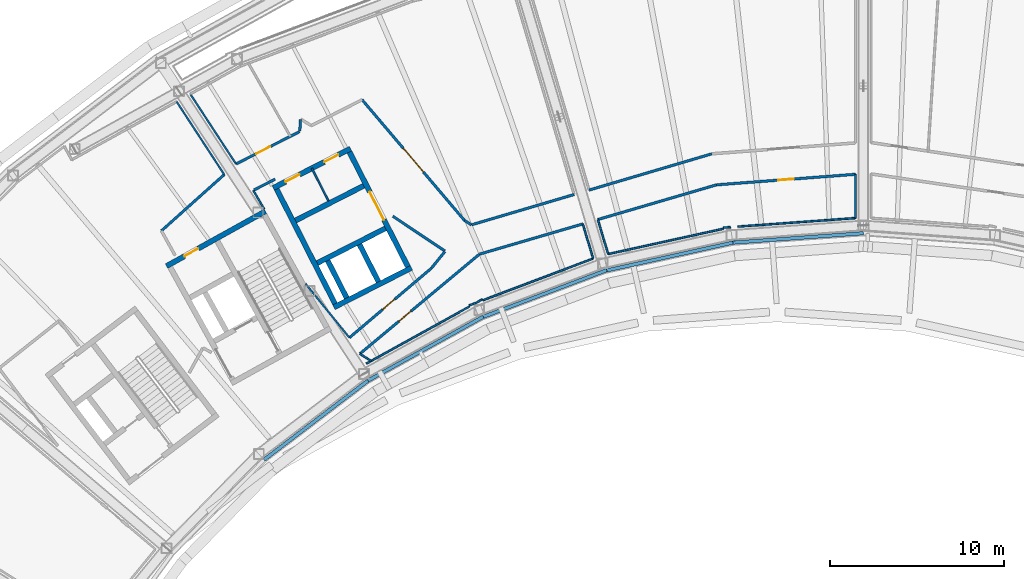
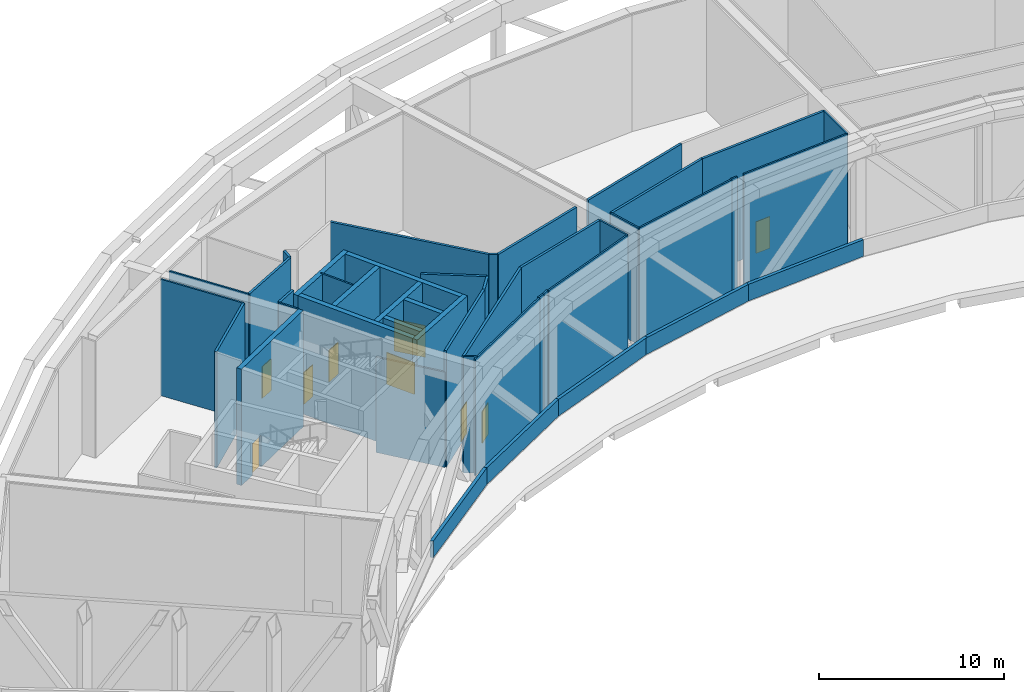
# One storey, part 8 of 27: 45 walls, 9 doors, 9 openings.
"""IFC4 building model written with IfcOpenShell, lengths in metres."""

from ifc_helpers import new_model, si_unit, direction, frame, frame_2d, origin, place, context, subcontext, project, spatial, rectangle, extrude, material, layer, layer_set, type_object, element, fill, save


model = new_model("IFC4")

# Units and contexts
model_context = context("Model", 3, precision=1e-05, world=origin(), true_north=direction((0.0, 1.0)))
body_context = subcontext(model_context, "Body", "Model", "MODEL_VIEW")
ifc_project = project(units=[si_unit("LENGTHUNIT", "METRE"), si_unit("AREAUNIT", "SQUARE_METRE"), si_unit("VOLUMEUNIT", "CUBIC_METRE"), si_unit("PLANEANGLEUNIT", "RADIAN"), si_unit("MASSUNIT", "GRAM", prefix="KILO")], contexts=[model_context])

# Site, building, storey
site_placement = place(None, origin())
site = spatial("IfcSite", under=ifc_project, at=site_placement, CompositionType="ELEMENT")
building_placement = place(site_placement, origin())
building = spatial("IfcBuilding", under=site, at=building_placement, Name="Tuul Gate Civic Tower", CompositionType="ELEMENT")
storey_placement = place(building_placement, frame((0.0, 0.0, 201.5)))
storey = spatial("IfcBuildingStorey", under=building, at=storey_placement, Name="Wind floor 1", CompositionType="ELEMENT", Elevation=201.5)

# Wall, opening, door
ifc_material_1 = material(Name="Concrete C50/60", Category="concrete")
ifc_layer_1 = layer(ifc_material_1, 0.300048828125)
ifc_layer_set_1 = layer_set([ifc_layer_1], Name="Concrete C50/60")
wall_type_1 = type_object("IfcWallType", Name="Core wall C50/60", PredefinedType="SHEAR", material=ifc_layer_set_1)
wall_1_placement = place(storey_placement, frame((-28.4443359375, -1.98095703125, 0.0), z_axis=(0.0, 0.0, 1.0), x_axis=(-0.874629909008, -0.484791215132, 0.0)))
wall_1 = element("IfcWall", 1, at=wall_1_placement, inside=storey, type_object=wall_type_1, Name="Core wall", PredefinedType="SHEAR", context=body_context, shape_type="SweptSolid", body=[
    extrude(rectangle(XDim=6.5, YDim=0.300048828125, at=frame_2d((3.25, 0.0))), origin(), (0.0, 0.0, 1.0), 7.699951171875),
])
opening_1_placement = place(wall_1_placement, frame((4.425048828125, 0.0, 0.0)))
opening_1 = element("IfcOpeningElement", 2, at=opening_1_placement, cuts=wall_1, Name="Opening AF-D19", PredefinedType="OPENING", context=body_context, shape_type="SweptSolid", body=[
    extrude(rectangle(XDim=0.89990234375, YDim=2.10009765625, at=frame_2d((0.449951171875, 1.050048828125))), frame((0.0, 0.16015625, 0.0), z_axis=(0.0, -1.0, 0.0), x_axis=(1.0, 0.0, 0.0)), (0.0, 0.0, 1.0), 0.320068359375),
])
ifc_material_2 = material(Name="Timber door leaf", Category="wood")
door_type_1 = type_object("IfcDoorType", Name="Door D09", OperationType="NOTDEFINED", PredefinedType="DOOR", material=ifc_material_2)
door_1_placement = place(opening_1_placement, origin())
door_1 = element("IfcDoor", 3, at=door_1_placement, inside=storey, type_object=door_type_1, Name="Door AF-D19", OperationType="SINGLE_SWING_LEFT", OverallHeight=2.10009765625, OverallWidth=0.89990234375, PredefinedType="DOOR", context=body_context, shape_type="SweptSolid", body=[
    extrude(rectangle(XDim=0.89990234375, YDim=2.10009765625, at=frame_2d((0.449951171875, 1.050048828125))), frame((0.0, 0.02490234375, 0.0), z_axis=(0.0, -1.0, 0.0), x_axis=(1.0, 0.0, 0.0)), (0.0, 0.0, 1.0), 0.050048828125),
])
fill(opening_1, door_1)

# Walls
ifc_material_3 = material(Name="Gypsum board partition")
ifc_layer_2 = layer(ifc_material_3, 0.14990234375)
ifc_layer_set_2 = layer_set([ifc_layer_2], Name="Gypsum board partition")
wall_type_2 = type_object("IfcWallType", Name="Corridor wall P150", PredefinedType="PARTITIONING", material=ifc_layer_set_2)
wall_2_placement = place(storey_placement, frame((-29.099609375, -0.7529296875, 0.0), z_axis=(0.0, 0.0, 1.0), x_axis=(0.891064148453, 0.453877388004, 0.0)))
element("IfcWall", 4, at=wall_2_placement, inside=storey, type_object=wall_type_2, Name="p008", PredefinedType="PARTITIONING", context=body_context, shape_type="SweptSolid", body=[
    extrude(rectangle(XDim=1.3603515625, YDim=0.14990234375, at=frame_2d((0.68017578125, 0.0))), origin(), (0.0, 0.0, 1.0), 7.699951171875),
])
wall_3_placement = place(storey_placement, frame((-21.11474609375, -2.264404296875, 0.0), z_axis=(0.0, 0.0, 1.0), x_axis=(0.830784728149, -0.556593869418, 0.0)))
element("IfcWall", 5, at=wall_3_placement, inside=storey, type_object=wall_type_2, Name="p009", PredefinedType="PARTITIONING", context=body_context, shape_type="SweptSolid", body=[
    extrude(rectangle(XDim=3.59716796875, YDim=0.14990234375, at=frame_2d((1.798583984375, 0.0))), origin(), (0.0, 0.0, 1.0), 7.699951171875),
])
wall_4_placement = place(storey_placement, frame((-18.8994140625, -5.253662109375, 0.0), z_axis=(0.0, 0.0, 1.0), x_axis=(0.630072299927, 0.77653647491, 0.0)))
element("IfcWall", 6, at=wall_4_placement, inside=storey, type_object=wall_type_2, Name="p010", PredefinedType="PARTITIONING", context=body_context, shape_type="SweptSolid", body=[
    extrude(rectangle(XDim=1.23681640625, YDim=0.14990234375, at=frame_2d((0.618408203125, 0.0))), origin(), (0.0, 0.0, 1.0), 7.699951171875),
])

# Wall, opening, door
wall_5_placement = place(storey_placement, frame((-23.614013671875, -9.24951171875, 0.0), z_axis=(0.0, 0.0, 1.0), x_axis=(0.762966028253, 0.646438581562, 0.0)))
wall_5 = element("IfcWall", 7, at=wall_5_placement, inside=storey, type_object=wall_type_2, Name="p011", PredefinedType="PARTITIONING", context=body_context, shape_type="SweptSolid", body=[
    extrude(rectangle(XDim=6.17236328125, YDim=0.14990234375, at=frame_2d((3.086181640625, 0.0))), origin(), (0.0, 0.0, 1.0), 7.699951171875),
])
opening_2_placement = place(wall_5_placement, frame((2.5107421875, 0.0, 0.0)))
opening_2 = element("IfcOpeningElement", 8, at=opening_2_placement, cuts=wall_5, Name="Opening AF-D03", PredefinedType="OPENING", context=body_context, shape_type="SweptSolid", body=[
    extrude(rectangle(XDim=0.89990234375, YDim=2.10009765625, at=frame_2d((0.449951171875, 1.050048828125))), frame((0.0, 0.0849609375, 0.0), z_axis=(0.0, -1.0, 0.0), x_axis=(1.0, 0.0, 0.0)), (0.0, 0.0, 1.0), 0.169921875),
])
door_2_placement = place(opening_2_placement, origin())
door_2 = element("IfcDoor", 9, at=door_2_placement, inside=storey, type_object=door_type_1, Name="Door AF-D03", OperationType="SINGLE_SWING_RIGHT", OverallHeight=2.10009765625, OverallWidth=0.89990234375, PredefinedType="DOOR", context=body_context, shape_type="SweptSolid", body=[
    extrude(rectangle(XDim=0.89990234375, YDim=2.10009765625, at=frame_2d((0.449951171875, 1.050048828125))), frame((0.0, 0.02490234375, 0.0), z_axis=(0.0, -1.0, 0.0), x_axis=(1.0, 0.0, 0.0)), (0.0, 0.0, 1.0), 0.050048828125),
])
fill(opening_2, door_2)

wall_6_placement = place(storey_placement, frame((-2.502197265625, -0.459228515625, 0.0), z_axis=(0.0, 0.0, 1.0), x_axis=(0.997140393156, 0.075571398931, 0.0)))
wall_6 = element("IfcWall", 10, at=wall_6_placement, inside=storey, type_object=wall_type_2, Name="p029", PredefinedType="PARTITIONING", context=body_context, shape_type="SweptSolid", body=[
    extrude(rectangle(XDim=8.01513671875, YDim=0.14990234375, at=frame_2d((4.007568359375, 0.0))), origin(), (0.0, 0.0, 1.0), 7.699951171875),
])
opening_3_placement = place(wall_6_placement, frame((3.5576171875, 0.0, 0.0)))
opening_3 = element("IfcOpeningElement", 11, at=opening_3_placement, cuts=wall_6, Name="Opening AF-D10", PredefinedType="OPENING", context=body_context, shape_type="SweptSolid", body=[
    extrude(rectangle(XDim=0.89990234375, YDim=2.10009765625, at=frame_2d((0.449951171875, 1.050048828125))), frame((0.0, 0.0849609375, 0.0), z_axis=(0.0, -1.0, 0.0), x_axis=(1.0, 0.0, 0.0)), (0.0, 0.0, 1.0), 0.169921875),
])
door_3_placement = place(opening_3_placement, frame((0.89990234375, 0.0, 0.0), z_axis=(0.0, 0.0, 1.0), x_axis=(-1.0, 0.0, 0.0)))
door_3 = element("IfcDoor", 12, at=door_3_placement, inside=storey, type_object=door_type_1, Name="Door AF-D10", OperationType="SINGLE_SWING_LEFT", OverallHeight=2.10009765625, OverallWidth=0.89990234375, PredefinedType="DOOR", context=body_context, shape_type="SweptSolid", body=[
    extrude(rectangle(XDim=0.89990234375, YDim=2.10009765625, at=frame_2d((0.449951171875, 1.050048828125))), frame((0.0, 0.02490234375, 0.0), z_axis=(0.0, -1.0, 0.0), x_axis=(1.0, 0.0, 0.0)), (0.0, 0.0, 1.0), 0.050048828125),
])
fill(opening_3, door_3)

# Walls
wall_7_placement = place(storey_placement, frame((-16.12890625, -4.444091796875, 0.0), z_axis=(0.0, 0.0, 1.0), x_axis=(0.95980223764, 0.280677153721, 0.0)))
element("IfcWall", 13, at=wall_7_placement, inside=storey, type_object=wall_type_2, Name="p030", PredefinedType="PARTITIONING", context=body_context, shape_type="SweptSolid", body=[
    extrude(rectangle(XDim=6.18798828125, YDim=0.14990234375, at=frame_2d((3.093994140625, 0.0))), origin(), (0.0, 0.0, 1.0), 7.699951171875),
])
wall_8_placement = place(storey_placement, frame((-9.325927734375, -2.45458984375, 0.0), z_axis=(0.0, 0.0, 1.0), x_axis=(0.959788451616, 0.280724292045, 0.0)))
element("IfcWall", 14, at=wall_8_placement, inside=storey, type_object=wall_type_2, Name="p031", PredefinedType="PARTITIONING", context=body_context, shape_type="SweptSolid", body=[
    extrude(rectangle(XDim=7.105224609375, YDim=0.14990234375, at=frame_2d((3.552734375, 0.0))), origin(), (0.0, 0.0, 1.0), 7.699951171875),
])
wall_9_placement = place(storey_placement, frame((-16.586181640625, -2.757568359375, 0.0), z_axis=(0.0, 0.0, 1.0), x_axis=(0.958992677512, 0.283430846026, 0.0)))
element("IfcWall", 15, at=wall_9_placement, inside=storey, type_object=wall_type_2, Name="p033", PredefinedType="PARTITIONING", context=body_context, shape_type="SweptSolid", body=[
    extrude(rectangle(XDim=6.14501953125, YDim=0.14990234375, at=frame_2d((3.072509765625, 0.0))), origin(), (0.0, 0.0, 1.0), 7.699951171875),
])
wall_10_placement = place(storey_placement, frame((-9.829833984375, -0.7607421875, 0.0), z_axis=(0.0, 0.0, 1.0), x_axis=(0.958993945757, 0.283426554864, 0.0)))
element("IfcWall", 16, at=wall_10_placement, inside=storey, type_object=wall_type_2, Name="p034", PredefinedType="PARTITIONING", context=body_context, shape_type="SweptSolid", body=[
    extrude(rectangle(XDim=7.361328125, YDim=0.14990234375, at=frame_2d((3.6806640625, 0.0))), origin(), (0.0, 0.0, 1.0), 7.699951171875),
])

# Wall, opening, door
wall_11_placement = place(storey_placement, frame((-30.127197265625, 0.743408203125, 0.0), z_axis=(0.0, 0.0, 1.0), x_axis=(0.890968081177, 0.454065940501, 0.0)))
wall_11 = element("IfcWall", 17, at=wall_11_placement, inside=storey, type_object=wall_type_2, Name="p037", PredefinedType="PARTITIONING", context=body_context, shape_type="SweptSolid", body=[
    extrude(rectangle(XDim=4.0966796875, YDim=0.14990234375, at=frame_2d((2.04833984375, 0.0))), origin(), (0.0, 0.0, 1.0), 7.699951171875),
])
opening_4_placement = place(wall_11_placement, frame((1.295654296875, 0.0, 0.0)))
opening_4 = element("IfcOpeningElement", 18, at=opening_4_placement, cuts=wall_11, Name="Opening AF-D13", PredefinedType="OPENING", context=body_context, shape_type="SweptSolid", body=[
    extrude(rectangle(XDim=0.89990234375, YDim=2.10009765625, at=frame_2d((0.449951171875, 1.050048828125))), frame((0.0, 0.0849609375, 0.0), z_axis=(0.0, -1.0, 0.0), x_axis=(1.0, 0.0, 0.0)), (0.0, 0.0, 1.0), 0.169921875),
])
door_4_placement = place(opening_4_placement, origin())
door_4 = element("IfcDoor", 19, at=door_4_placement, inside=storey, type_object=door_type_1, Name="Door AF-D13", OperationType="SINGLE_SWING_RIGHT", OverallHeight=2.10009765625, OverallWidth=0.89990234375, PredefinedType="DOOR", context=body_context, shape_type="SweptSolid", body=[
    extrude(rectangle(XDim=0.89990234375, YDim=2.10009765625, at=frame_2d((0.449951171875, 1.050048828125))), frame((0.0, 0.02490234375, 0.0), z_axis=(0.0, -1.0, 0.0), x_axis=(1.0, 0.0, 0.0)), (0.0, 0.0, 1.0), 0.050048828125),
])
fill(opening_4, door_4)

# Wall
wall_12_placement = place(storey_placement, frame((-16.99072265625, -2.51318359375, 0.0), z_axis=(0.0, 0.0, 1.0), x_axis=(0.850083704078, -0.5266476014, 0.0)))
element("IfcWall", 20, at=wall_12_placement, inside=storey, type_object=wall_type_2, Name="p040", PredefinedType="PARTITIONING", context=body_context, shape_type="SweptSolid", body=[
    extrude(rectangle(XDim=0.458984375, YDim=0.14990234375, at=frame_2d((0.2294921875, 0.0))), origin(), (0.0, 0.0, 1.0), 7.699951171875),
])

# Wall, opening, door
wall_13_placement = place(storey_placement, frame((-22.884765625, 4.433837890625, 0.0), z_axis=(0.0, 0.0, 1.0), x_axis=(0.64695195203, -0.76253076775, 0.0)))
wall_13 = element("IfcWall", 21, at=wall_13_placement, inside=storey, type_object=wall_type_2, Name="p041", PredefinedType="PARTITIONING", context=body_context, shape_type="SweptSolid", body=[
    extrude(rectangle(XDim=9.110595703125, YDim=0.14990234375, at=frame_2d((4.55517578125, 0.0))), origin(), (0.0, 0.0, 1.0), 7.699951171875),
])
opening_5_placement = place(wall_13_placement, frame((3.6552734375, 0.0, 0.0)))
opening_5 = element("IfcOpeningElement", 22, at=opening_5_placement, cuts=wall_13, Name="Opening AF-D12", PredefinedType="OPENING", context=body_context, shape_type="SweptSolid", body=[
    extrude(rectangle(XDim=1.800048828125, YDim=2.10009765625, at=frame_2d((0.89990234375, 1.050048828125))), frame((0.0, 0.0849609375, 0.0), z_axis=(0.0, -1.0, 0.0), x_axis=(1.0, 0.0, 0.0)), (0.0, 0.0, 1.0), 0.169921875),
])
ifc_material_4 = material(Name="Timber door leaf, double", Category="wood")
door_type_2 = type_object("IfcDoorType", Name="Door D18", OperationType="DOUBLE_DOOR_SINGLE_SWING", PredefinedType="DOOR", material=ifc_material_4)
door_5_placement = place(opening_5_placement, origin())
door_5 = element("IfcDoor", 23, at=door_5_placement, inside=storey, type_object=door_type_2, Name="Door AF-D12", OperationType="DOUBLE_DOOR_SINGLE_SWING", OverallHeight=2.10009765625, OverallWidth=1.800048828125, PredefinedType="DOOR", context=body_context, shape_type="SweptSolid", body=[
    extrude(rectangle(XDim=1.800048828125, YDim=2.10009765625, at=frame_2d((0.89990234375, 1.050048828125))), frame((0.0, 0.02490234375, 0.0), z_axis=(0.0, -1.0, 0.0), x_axis=(1.0, 0.0, 0.0)), (0.0, 0.0, 1.0), 0.050048828125),
])
fill(opening_5, door_5)

# Walls
wall_14_placement = place(storey_placement, frame((-26.468505859375, 2.63037109375, 0.0), z_axis=(0.0, 0.0, 1.0), x_axis=(0.06156184408, 0.998103270886, 0.0)))
element("IfcWall", 24, at=wall_14_placement, inside=storey, type_object=wall_type_2, Name="p042", PredefinedType="PARTITIONING", context=body_context, shape_type="SweptSolid", body=[
    extrude(rectangle(XDim=0.670166015625, YDim=0.14990234375, at=frame_2d((0.3349609375, 0.0))), origin(), (0.0, 0.0, 1.0), 7.699951171875),
])
wall_15_placement = place(storey_placement, frame((-34.425048828125, -3.102783203125, 0.0), z_axis=(0.0, 0.0, 1.0), x_axis=(0.745157003535, 0.666889076296, 0.0)))
element("IfcWall", 25, at=wall_15_placement, inside=storey, type_object=wall_type_2, Name="p043", PredefinedType="PARTITIONING", context=body_context, shape_type="SweptSolid", body=[
    extrude(rectangle(XDim=4.847412109375, YDim=0.14990234375, at=frame_2d((2.423828125, 0.0))), origin(), (0.0, 0.0, 1.0), 7.699951171875),
])

# Wall, opening, door
wall_16_placement = place(storey_placement, frame((-23.010498046875, -10.173828125, 0.0), z_axis=(0.0, 0.0, 1.0), x_axis=(0.768382300649, 0.639991124977, 0.0)))
wall_16 = element("IfcWall", 26, at=wall_16_placement, inside=storey, type_object=wall_type_2, Name="p044", PredefinedType="PARTITIONING", context=body_context, shape_type="SweptSolid", body=[
    extrude(rectangle(XDim=8.94677734375, YDim=0.14990234375, at=frame_2d((4.473388671875, 0.0))), origin(), (0.0, 0.0, 1.0), 7.699951171875),
])
opening_6_placement = place(wall_16_placement, frame((2.923095703125, 0.0, 0.0)))
opening_6 = element("IfcOpeningElement", 27, at=opening_6_placement, cuts=wall_16, Name="Opening AF-D14", PredefinedType="OPENING", context=body_context, shape_type="SweptSolid", body=[
    extrude(rectangle(XDim=0.89990234375, YDim=2.10009765625, at=frame_2d((0.449951171875, 1.050048828125))), frame((0.0, 0.0849609375, 0.0), z_axis=(0.0, -1.0, 0.0), x_axis=(1.0, 0.0, 0.0)), (0.0, 0.0, 1.0), 0.169921875),
])
door_6_placement = place(opening_6_placement, frame((0.89990234375, 0.0, 0.0), z_axis=(0.0, 0.0, 1.0), x_axis=(-1.0, 0.0, 0.0)))
door_6 = element("IfcDoor", 28, at=door_6_placement, inside=storey, type_object=door_type_1, Name="Door AF-D14", OperationType="SINGLE_SWING_LEFT", OverallHeight=2.10009765625, OverallWidth=0.89990234375, PredefinedType="DOOR", context=body_context, shape_type="SweptSolid", body=[
    extrude(rectangle(XDim=0.89990234375, YDim=2.10009765625, at=frame_2d((0.449951171875, 1.050048828125))), frame((0.0, 0.02490234375, 0.0), z_axis=(0.0, -1.0, 0.0), x_axis=(1.0, 0.0, 0.0)), (0.0, 0.0, 1.0), 0.050048828125),
])
fill(opening_6, door_6)

# Walls
ifc_material_5 = material(Name="Concrete C40/50", Category="concrete")
ifc_layer_3 = layer(ifc_material_5, 0.199951171875)
ifc_layer_set_3 = layer_set([ifc_layer_3], Name="Concrete C40/50")
wall_type_3 = type_object("IfcWallType", Name="Crown parapet", PredefinedType="PARAPET", material=ifc_layer_set_3)
wall_17_placement = place(storey_placement, frame((-28.528564453125, -16.276123046875, 0.0), z_axis=(0.0, 0.0, 1.0), x_axis=(0.795588056062, 0.605837969305, 0.0)))
element("IfcWall", 29, at=wall_17_placement, inside=storey, type_object=wall_type_3, Name="Parapet", PredefinedType="PARAPET", context=body_context, shape_type="SweptSolid", body=[
    extrude(rectangle(XDim=7.52685546875, YDim=0.199951171875, at=frame_2d((3.763427734375, 0.0))), origin(), (0.0, 0.0, 1.0), 1.10009765625),
])
wall_18_placement = place(storey_placement, frame((-22.540283203125, -11.716064453125, 0.0), z_axis=(0.0, 0.0, 1.0), x_axis=(0.874643517098, 0.484766663456, 0.0)))
element("IfcWall", 30, at=wall_18_placement, inside=storey, type_object=wall_type_3, Name="Parapet", PredefinedType="PARAPET", context=body_context, shape_type="SweptSolid", body=[
    extrude(rectangle(XDim=7.572021484375, YDim=0.199951171875, at=frame_2d((3.7861328125, 0.0))), origin(), (0.0, 0.0, 1.0), 1.10009765625),
])
wall_19_placement = place(storey_placement, frame((-15.957275390625, -8.067626953125, 0.0), z_axis=(0.0, 0.0, 1.0), x_axis=(0.935332015736, 0.35377114119, 0.0)))
element("IfcWall", 31, at=wall_19_placement, inside=storey, type_object=wall_type_3, Name="Parapet", PredefinedType="PARAPET", context=body_context, shape_type="SweptSolid", body=[
    extrude(rectangle(XDim=7.63525390625, YDim=0.199951171875, at=frame_2d((3.817626953125, 0.0))), origin(), (0.0, 0.0, 1.0), 1.10009765625),
])
wall_20_placement = place(storey_placement, frame((-8.9169921875, -5.40478515625, 0.0), z_axis=(0.0, 0.0, 1.0), x_axis=(0.976571109947, 0.215194951652, 0.0)))
element("IfcWall", 32, at=wall_20_placement, inside=storey, type_object=wall_type_3, Name="Parapet", PredefinedType="PARAPET", context=body_context, shape_type="SweptSolid", body=[
    extrude(rectangle(XDim=7.7021484375, YDim=0.199951171875, at=frame_2d((3.85107421875, 0.0))), origin(), (0.0, 0.0, 1.0), 1.10009765625),
])
wall_21_placement = place(storey_placement, frame((-1.566650390625, -3.78515625, 0.0), z_axis=(0.0, 0.0, 1.0), x_axis=(0.997389572159, 0.072208319108, 0.0)))
element("IfcWall", 33, at=wall_21_placement, inside=storey, type_object=wall_type_3, Name="Parapet", PredefinedType="PARAPET", context=body_context, shape_type="SweptSolid", body=[
    extrude(rectangle(XDim=7.526123046875, YDim=0.199951171875, at=frame_2d((3.76318359375, 0.0))), origin(), (0.0, 0.0, 1.0), 1.10009765625),
])
ifc_material_6 = material(Name="Concrete C40/50", Category="concrete")
ifc_layer_4 = layer(ifc_material_6, 0.300048828125)
ifc_layer_set_4 = layer_set([ifc_layer_4], Name="Concrete C40/50")
wall_type_4 = type_object("IfcWallType", Name="Lift shaft wall C40/50", PredefinedType="STANDARD", material=ifc_layer_set_4)
wall_22_placement = place(storey_placement, frame((-20.049072265625, -5.232421875, 0.0), z_axis=(0.0, 0.0, 1.0), x_axis=(-0.891002976909, -0.453997461601, 0.0)))
element("IfcWall", 34, at=wall_22_placement, inside=storey, type_object=wall_type_4, Name="Shaft wall", PredefinedType="STANDARD", context=body_context, shape_type="SweptSolid", body=[
    extrude(rectangle(XDim=5.0, YDim=0.300048828125, at=frame_2d((2.5, 0.0))), origin(), (0.0, 0.0, 1.0), 7.699951171875),
])
for number, where, z_axis, x_axis, name in (
    (35, (-21.542236328125, -2.962890625, 0.0), (0.0, 0.0, 1.0), (-0.891005618941, -0.453992276384, 0.0), "Shaft wall"),
    (36, (-22.790771484375, -0.5126953125, 0.0), (0.0, 0.0, 1.0), (-0.891005618941, -0.453992276384, 0.0), "Shaft wall"),
):
    element("IfcWall", number, at=place(storey_placement, frame(where, z_axis=z_axis, x_axis=x_axis)), inside=storey, type_object=wall_type_4, Name=name, PredefinedType="STANDARD", context=body_context, shape_type="SweptSolid", body=[
        extrude(rectangle(XDim=4.39990234375, YDim=0.300048828125, at=frame_2d((2.199951171875, 0.0))), origin(), (0.0, 0.0, 1.0), 7.699951171875),
    ])

# Wall, openings, doors
wall_23_placement = place(storey_placement, frame((-23.544921875, 1.62841796875, 0.0), z_axis=(0.0, 0.0, 1.0), x_axis=(-0.891002976909, -0.453997461601, 0.0)))
wall_23 = element("IfcWall", 37, at=wall_23_placement, inside=storey, type_object=wall_type_4, Name="Shaft wall", PredefinedType="STANDARD", context=body_context, shape_type="SweptSolid", body=[
    extrude(rectangle(XDim=5.0, YDim=0.300048828125, at=frame_2d((2.5, 0.0))), origin(), (0.0, 0.0, 1.0), 7.699951171875),
])
opening_7_placement = place(wall_23_placement, frame((0.800048828125, 0.0, 0.0)))
opening_7 = element("IfcOpeningElement", 38, at=opening_7_placement, cuts=wall_23, Name="Opening AF-D23", PredefinedType="OPENING", context=body_context, shape_type="SweptSolid", body=[
    extrude(rectangle(XDim=0.89990234375, YDim=2.10009765625, at=frame_2d((0.449951171875, 1.050048828125))), frame((0.0, 0.16015625, 0.0), z_axis=(0.0, -1.0, 0.0), x_axis=(1.0, 0.0, 0.0)), (0.0, 0.0, 1.0), 0.320068359375),
])
opening_8_placement = place(wall_23_placement, frame((3.300048828125, 0.0, 0.0)))
opening_8 = element("IfcOpeningElement", 39, at=opening_8_placement, cuts=wall_23, Name="Opening AF-D24", PredefinedType="OPENING", context=body_context, shape_type="SweptSolid", body=[
    extrude(rectangle(XDim=0.89990234375, YDim=2.10009765625, at=frame_2d((0.449951171875, 1.050048828125))), frame((0.0, 0.16015625, 0.0), z_axis=(0.0, -1.0, 0.0), x_axis=(1.0, 0.0, 0.0)), (0.0, 0.0, 1.0), 0.320068359375),
])
door_7_placement = place(opening_7_placement, origin())
door_7 = element("IfcDoor", 40, at=door_7_placement, inside=storey, type_object=door_type_1, Name="Door AF-D23", OperationType="SINGLE_SWING_RIGHT", OverallHeight=2.10009765625, OverallWidth=0.89990234375, PredefinedType="DOOR", context=body_context, shape_type="SweptSolid", body=[
    extrude(rectangle(XDim=0.89990234375, YDim=2.10009765625, at=frame_2d((0.449951171875, 1.050048828125))), frame((0.0, 0.02490234375, 0.0), z_axis=(0.0, -1.0, 0.0), x_axis=(1.0, 0.0, 0.0)), (0.0, 0.0, 1.0), 0.050048828125),
])
fill(opening_7, door_7)
door_8_placement = place(opening_8_placement, origin())
door_8 = element("IfcDoor", 41, at=door_8_placement, inside=storey, type_object=door_type_1, Name="Door AF-D24", OperationType="SINGLE_SWING_LEFT", OverallHeight=2.10009765625, OverallWidth=0.89990234375, PredefinedType="DOOR", context=body_context, shape_type="SweptSolid", body=[
    extrude(rectangle(XDim=0.89990234375, YDim=2.10009765625, at=frame_2d((0.449951171875, 1.050048828125))), frame((0.0, 0.02490234375, 0.0), z_axis=(0.0, -1.0, 0.0), x_axis=(1.0, 0.0, 0.0)), (0.0, 0.0, 1.0), 0.050048828125),
])
fill(opening_8, door_8)

# Wall, opening, door
wall_24_placement = place(storey_placement, frame((-20.2509765625, -5.166748046875, 0.0), z_axis=(0.0, 0.0, 1.0), x_axis=(-0.45401029361, 0.89099643843, 0.0)))
wall_24 = element("IfcWall", 42, at=wall_24_placement, inside=storey, type_object=wall_type_4, Name="Shaft wall", PredefinedType="STANDARD", context=body_context, shape_type="SweptSolid", body=[
    extrude(rectangle(XDim=7.39990234375, YDim=0.300048828125, at=frame_2d((3.699951171875, 0.0))), origin(), (0.0, 0.0, 1.0), 7.699951171875),
])
opening_9_placement = place(wall_24_placement, frame((3.02490234375, 0.0, 0.0)))
opening_9 = element("IfcOpeningElement", 43, at=opening_9_placement, cuts=wall_24, Name="Opening LB-W3-LOBBY-1", PredefinedType="OPENING", context=body_context, shape_type="SweptSolid", body=[
    extrude(rectangle(XDim=1.800048828125, YDim=2.10009765625, at=frame_2d((0.89990234375, 1.050048828125))), frame((0.0, 0.16015625, 0.0), z_axis=(0.0, -1.0, 0.0), x_axis=(1.0, 0.0, 0.0)), (0.0, 0.0, 1.0), 0.320068359375),
])
ifc_material_7 = material(Name="Steel", Category="steel")
door_type_3 = type_object("IfcDoorType", Name="Lobby door", OperationType="DOUBLE_DOOR_SINGLE_SWING", PredefinedType="DOOR", material=ifc_material_7)
door_9_placement = place(opening_9_placement, origin())
door_9 = element("IfcDoor", 44, at=door_9_placement, inside=storey, type_object=door_type_3, Name="Lobby door W3-LOBBY", OperationType="DOUBLE_DOOR_SINGLE_SWING", OverallHeight=2.10009765625, OverallWidth=1.800048828125, PredefinedType="DOOR", context=body_context, shape_type="SweptSolid", body=[
    extrude(rectangle(XDim=1.800048828125, YDim=2.10009765625, at=frame_2d((0.89990234375, 1.050048828125))), frame((0.0, 0.02490234375, 0.0), z_axis=(0.0, -1.0, 0.0), x_axis=(1.0, 0.0, 0.0)), (0.0, 0.0, 1.0), 0.050048828125),
])
fill(opening_9, door_9)

# Walls
for number, where, z_axis, x_axis, name in (
    (45, (-21.94384765625, -6.029296875, 0.0), (0.0, 0.0, 1.0), (-0.45403702923, 0.890982814698, 0.0), "Shaft wall"),
    (46, (-23.770263671875, -6.960205078125, 0.0), (0.0, 0.0, 1.0), (-0.45399587725, 0.891003784189, 0.0), "Shaft wall"),
):
    element("IfcWall", number, at=place(storey_placement, frame(where, z_axis=z_axis, x_axis=x_axis)), inside=storey, type_object=wall_type_4, Name=name, PredefinedType="STANDARD", context=body_context, shape_type="SweptSolid", body=[
        extrude(rectangle(XDim=2.39990234375, YDim=0.300048828125, at=frame_2d((1.199951171875, 0.0))), origin(), (0.0, 0.0, 1.0), 7.699951171875),
    ])
wall_25_placement = place(storey_placement, frame((-24.438720703125, -7.300537109375, 0.0), z_axis=(0.0, 0.0, 1.0), x_axis=(-0.453984101083, 0.891009784438, 0.0)))
element("IfcWall", 47, at=wall_25_placement, inside=storey, type_object=wall_type_4, Name="Shaft wall", PredefinedType="STANDARD", context=body_context, shape_type="SweptSolid", body=[
    extrude(rectangle(XDim=7.399658203125, YDim=0.300048828125, at=frame_2d((3.69970703125, 0.0))), origin(), (0.0, 0.0, 1.0), 7.699951171875),
])
ifc_material_8 = material(Name="Gypsum board partition")
ifc_layer_5 = layer(ifc_material_8, 0.10009765625)
ifc_layer_set_5 = layer_set([ifc_layer_5], Name="Gypsum board partition")
wall_type_5 = type_object("IfcWallType", Name="Partition P100", PredefinedType="PARTITIONING", material=ifc_layer_set_5)
wall_26_placement = place(storey_placement, frame((-28.51708984375, -1.849853515625, 0.0), z_axis=(0.0, 0.0, 1.0), x_axis=(-0.505337714214, 0.86292166191, 0.0)))
element("IfcWall", 48, at=wall_26_placement, inside=storey, type_object=wall_type_5, Name="p053", PredefinedType="PARTITIONING", context=body_context, shape_type="SweptSolid", body=[
    extrude(rectangle(XDim=1.23095703125, YDim=0.10009765625, at=frame_2d((0.615478515625, 0.0))), origin(), (0.0, 0.0, 1.0), 7.699951171875),
])
wall_27_placement = place(storey_placement, frame((5.489990234375, 0.146484375, 0.0), z_axis=(0.0, 0.0, 1.0), x_axis=(0.0, -1.0, 0.0)))
element("IfcWall", 49, at=wall_27_placement, inside=storey, type_object=wall_type_5, Name="p075", PredefinedType="PARTITIONING", context=body_context, shape_type="SweptSolid", body=[
    extrude(rectangle(XDim=2.517822265625, YDim=0.10009765625, at=frame_2d((1.2587890625, 0.0))), origin(), (0.0, 0.0, 1.0), 7.699951171875),
])
wall_28_placement = place(storey_placement, frame((5.489990234375, -2.371337890625, 0.0), z_axis=(0.0, 0.0, 1.0), x_axis=(-0.997380470642, -0.072333925527, 0.0)))
element("IfcWall", 50, at=wall_28_placement, inside=storey, type_object=wall_type_5, Name="p076", PredefinedType="PARTITIONING", context=body_context, shape_type="SweptSolid", body=[
    extrude(rectangle(XDim=6.7841796875, YDim=0.10009765625, at=frame_2d((3.39208984375, 0.0))), origin(), (0.0, 0.0, 1.0), 7.699951171875),
])
wall_29_placement = place(storey_placement, frame((-1.697021484375, -2.892578125, 0.0), z_axis=(0.0, 0.0, 1.0), x_axis=(-0.997407968083, -0.071953771305, 0.0)))
element("IfcWall", 51, at=wall_29_placement, inside=storey, type_object=wall_type_5, Name="p077", PredefinedType="PARTITIONING", context=body_context, shape_type="SweptSolid", body=[
    extrude(rectangle(XDim=0.417236328125, YDim=0.10009765625, at=frame_2d((0.20849609375, 0.0))), origin(), (0.0, 0.0, 1.0), 7.699951171875),
])
wall_30_placement = place(storey_placement, frame((-2.10888671875, -2.9833984375, 0.0), z_axis=(0.0, 0.0, 1.0), x_axis=(-0.976562386162, -0.215234537039, 0.0)))
element("IfcWall", 52, at=wall_30_placement, inside=storey, type_object=wall_type_5, Name="p078", PredefinedType="PARTITIONING", context=body_context, shape_type="SweptSolid", body=[
    extrude(rectangle(XDim=6.7841796875, YDim=0.10009765625, at=frame_2d((3.39208984375, 0.0))), origin(), (0.0, 0.0, 1.0), 7.699951171875),
])
wall_31_placement = place(storey_placement, frame((-8.734130859375, -4.443603515625, 0.0), z_axis=(0.0, 0.0, 1.0), x_axis=(-0.285177684323, 0.958474667565, 0.0)))
element("IfcWall", 53, at=wall_31_placement, inside=storey, type_object=wall_type_5, Name="p079", PredefinedType="PARTITIONING", context=body_context, shape_type="SweptSolid", body=[
    extrude(rectangle(XDim=2.0751953125, YDim=0.10009765625, at=frame_2d((1.03759765625, 0.0))), origin(), (0.0, 0.0, 1.0), 7.699951171875),
])
wall_32_placement = place(storey_placement, frame((-30.134521484375, 0.737060546875, 0.0), z_axis=(0.0, 0.0, 1.0), x_axis=(-0.54670901281, 0.837322670965, 0.0)))
element("IfcWall", 54, at=wall_32_placement, inside=storey, type_object=wall_type_5, Name="p088", PredefinedType="PARTITIONING", context=body_context, shape_type="SweptSolid", body=[
    extrude(rectangle(XDim=4.8095703125, YDim=0.10009765625, at=frame_2d((2.40478515625, 0.0))), origin(), (0.0, 0.0, 1.0), 7.699951171875),
])
wall_33_placement = place(storey_placement, frame((-10.189697265625, -2.707275390625, 0.0), z_axis=(0.0, 0.0, 1.0), x_axis=(0.285203515634, -0.958466981523, 0.0)))
element("IfcWall", 55, at=wall_33_placement, inside=storey, type_object=wall_type_5, Name="p091", PredefinedType="PARTITIONING", context=body_context, shape_type="SweptSolid", body=[
    extrude(rectangle(XDim=2.079345703125, YDim=0.10009765625, at=frame_2d((1.03955078125, 0.0))), origin(), (0.0, 0.0, 1.0), 7.699951171875),
])
wall_34_placement = place(storey_placement, frame((-9.5966796875, -4.7001953125, 0.0), z_axis=(0.0, 0.0, 1.0), x_axis=(-0.935374761976, -0.353658104188, 0.0)))
element("IfcWall", 56, at=wall_34_placement, inside=storey, type_object=wall_type_5, Name="p092", PredefinedType="PARTITIONING", context=body_context, shape_type="SweptSolid", body=[
    extrude(rectangle(XDim=6.783935546875, YDim=0.10009765625, at=frame_2d((3.39208984375, 0.0))), origin(), (0.0, 0.0, 1.0), 7.699951171875),
])
wall_35_placement = place(storey_placement, frame((-15.9716796875, -7.046142578125, 0.0), z_axis=(0.0, 0.0, 1.0), x_axis=(-0.874543306316, -0.484947425375, 0.0)))
element("IfcWall", 57, at=wall_35_placement, inside=storey, type_object=wall_type_5, Name="p093", PredefinedType="PARTITIONING", context=body_context, shape_type="SweptSolid", body=[
    extrude(rectangle(XDim=0.417236328125, YDim=0.10009765625, at=frame_2d((0.20849609375, 0.0))), origin(), (0.0, 0.0, 1.0), 7.699951171875),
])
wall_36_placement = place(storey_placement, frame((-16.336669921875, -7.24853515625, 0.0), z_axis=(0.0, 0.0, 1.0), x_axis=(-0.93529148989, -0.353878268532, 0.0)))
element("IfcWall", 58, at=wall_36_placement, inside=storey, type_object=wall_type_5, Name="p094", PredefinedType="PARTITIONING", context=body_context, shape_type="SweptSolid", body=[
    extrude(rectangle(XDim=0.41748046875, YDim=0.10009765625, at=frame_2d((0.208740234375, 0.0))), origin(), (0.0, 0.0, 1.0), 7.699951171875),
])
wall_37_placement = place(storey_placement, frame((-16.70556640625, -7.453125, 0.0), z_axis=(0.0, 0.0, 1.0), x_axis=(-0.874603336663, -0.484839152191, 0.0)))
element("IfcWall", 59, at=wall_37_placement, inside=storey, type_object=wall_type_5, Name="p095", PredefinedType="PARTITIONING", context=body_context, shape_type="SweptSolid", body=[
    extrude(rectangle(XDim=6.784423828125, YDim=0.10009765625, at=frame_2d((3.39208984375, 0.0))), origin(), (0.0, 0.0, 1.0), 7.699951171875),
])
wall_38_placement = place(storey_placement, frame((-22.367431640625, -10.59130859375, 0.0), z_axis=(0.0, 0.0, 1.0), x_axis=(-0.838654591774, 0.544663635372, 0.0)))
element("IfcWall", 60, at=wall_38_placement, inside=storey, type_object=wall_type_5, Name="p096", PredefinedType="PARTITIONING", context=body_context, shape_type="SweptSolid", body=[
    extrude(rectangle(XDim=0.7666015625, YDim=0.10009765625, at=frame_2d((0.38330078125, 0.0))), origin(), (0.0, 0.0, 1.0), 7.699951171875),
])
wall_39_placement = place(storey_placement, frame((-33.55322265625, 4.32666015625, 0.0), z_axis=(0.0, 0.0, 1.0), x_axis=(0.546716424711, -0.837317831502, 0.0)))
element("IfcWall", 61, at=wall_39_placement, inside=storey, type_object=wall_type_5, Name="p102", PredefinedType="PARTITIONING", context=body_context, shape_type="SweptSolid", body=[
    extrude(rectangle(XDim=5.01220703125, YDim=0.10009765625, at=frame_2d((2.506103515625, 0.0))), origin(), (0.0, 0.0, 1.0), 7.699951171875),
])
wall_40_placement = place(storey_placement, frame((-24.819091796875, -1.377685546875, 0.0), z_axis=(0.0, 0.0, 1.0), x_axis=(-0.453990218702, 0.891006667384, 0.0)))
element("IfcWall", 62, at=wall_40_placement, inside=storey, type_object=wall_type_5, Name="bW3-BAND-0", PredefinedType="PARTITIONING", context=body_context, shape_type="SweptSolid", body=[
    extrude(rectangle(XDim=2.10009765625, YDim=0.10009765625, at=frame_2d((1.050048828125, 0.0))), origin(), (0.0, 0.0, 1.0), 7.699951171875),
])
ifc_material_9 = material(Name="Gypsum board partition")
ifc_layer_6 = layer(ifc_material_9, 0.10009765625)
ifc_layer_set_6 = layer_set([ifc_layer_6], Name="Gypsum board partition")
wall_type_6 = type_object("IfcWallType", Name="Partition P100 6300 HIGH", PredefinedType="PARTITIONING", material=ifc_layer_set_6)
wall_41_placement = place(storey_placement, frame((-23.614013671875, -9.24951171875, 0.0), z_axis=(0.0, 0.0, 1.0), x_axis=(-0.630739787092, 0.775994407827, 0.0)))
element("IfcWall", 63, at=wall_41_placement, inside=storey, type_object=wall_type_6, Name="p054", PredefinedType="PARTITIONING", context=body_context, shape_type="SweptSolid", body=[
    extrude(rectangle(XDim=3.996826171875, YDim=0.10009765625, at=frame_2d((1.99853515625, 0.0))), origin(), (0.0, 0.0, 1.0), 6.300048828125),
])

save(model, "model.ifc")
